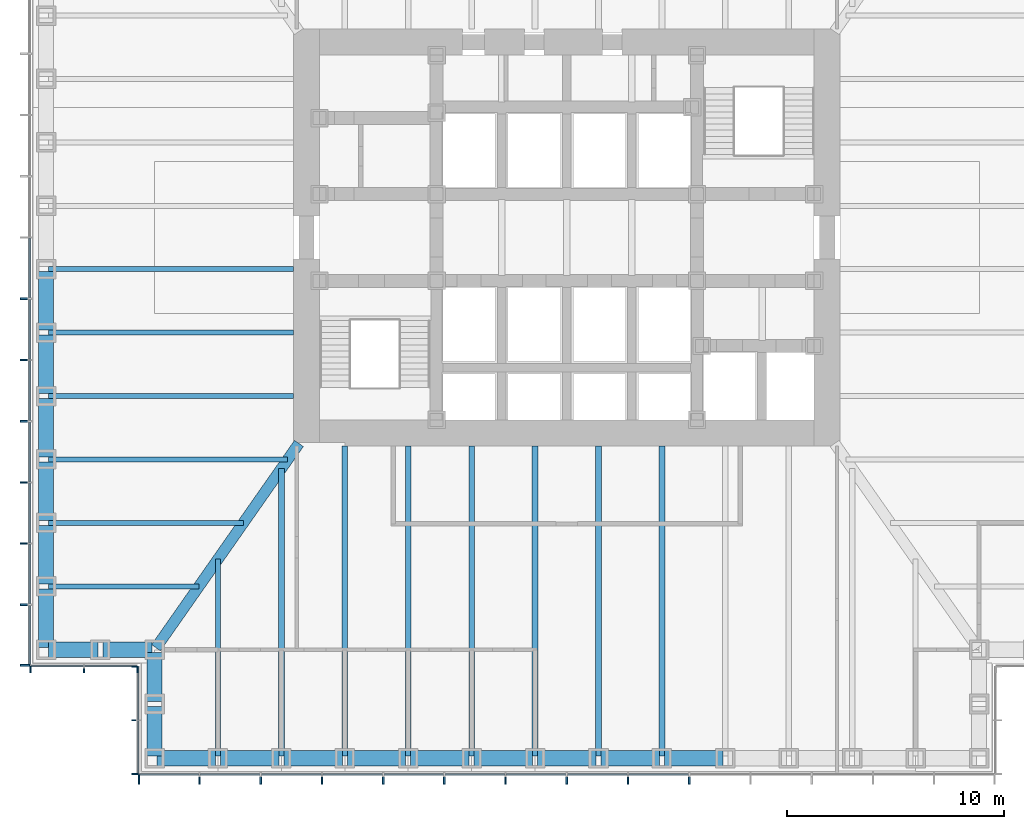
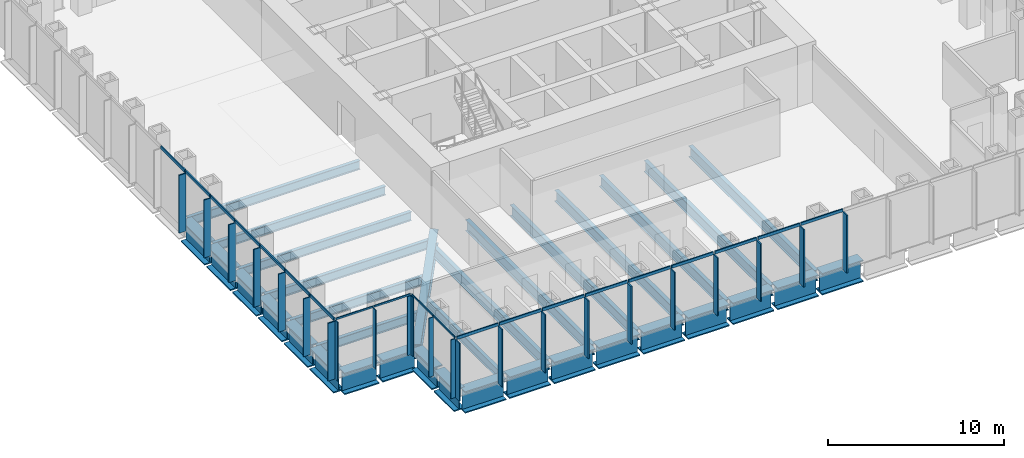
# One storey, part 2 of 17: 43 members, 34 beams, 4 elements without a shape of their own.
"""IFC4 building model written with IfcOpenShell, lengths in metres."""

from ifc_helpers import new_model, si_unit, direction, frame, origin, origin_2d, place, context, subcontext, project, spatial, rectangle, i_section, extrude, material, material_profile, profile_set, type_object, element, aggregate, save


model = new_model("IFC4")

# Units and contexts
model_context = context("Model", 3, precision=1e-05, world=origin(), true_north=direction((0.0, 1.0)))
body_context = subcontext(model_context, "Body", "Model", "MODEL_VIEW")
ifc_project = project(units=[si_unit("LENGTHUNIT", "METRE"), si_unit("AREAUNIT", "SQUARE_METRE"), si_unit("VOLUMEUNIT", "CUBIC_METRE"), si_unit("PLANEANGLEUNIT", "RADIAN"), si_unit("MASSUNIT", "GRAM", prefix="KILO")], contexts=[model_context])

# Site, building, storey
site_placement = place(None, origin())
site = spatial("IfcSite", under=ifc_project, at=site_placement, CompositionType="ELEMENT")
building_placement = place(site_placement, origin())
building = spatial("IfcBuilding", under=site, at=building_placement, Name="Daluyong Arena Tower", CompositionType="ELEMENT")
storey_placement = place(building_placement, frame((0.0, 0.0, 97.89990234375)))
storey = spatial("IfcBuildingStorey", under=building, at=storey_placement, Name="L21", CompositionType="ELEMENT", Elevation=97.89990234375)

# Curtain wall, members
ifc_material_1 = material(Name="Bronze anodised aluminium and glass", Category="aluminium")
curtain_wall_type_1 = type_object("IfcCurtainWallType", Name="Curtain wall CW1", PredefinedType="USERDEFINED", material=ifc_material_1)
curtain_wall_1_placement = place(storey_placement, origin())
curtain_wall_1 = element("IfcCurtainWall", 1, at=curtain_wall_1_placement, inside=storey, type_object=curtain_wall_type_1, Name="curtain wall L21 S", ObjectType="UNITISED CURTAIN WALL", PredefinedType="USERDEFINED")
ifc_material_2 = material(Name="Bronze anodised aluminium fin", Category="aluminium")
ifc_material_profile_1 = material_profile(ifc_material_2, rectangle(XDim=0.449951171875, YDim=0.080078125, at=origin_2d()))
ifc_profile_set_1 = profile_set([ifc_material_profile_1], Name="Bronze anodised aluminium fin")
member_type_1 = type_object("IfcMemberType", Name="CW1 bronze fin 450x80", PredefinedType="MULLION", material=ifc_profile_set_1)
member_1_placement = place(storey_placement, frame((36.2900390625, 55.02490234375, 0.0), z_axis=(0.0, 0.0, 1.0), x_axis=(0.0, 1.0, 0.0)))
member_1 = element("IfcMember", 2, at=member_1_placement, type_object=member_type_1, Name="curtain wall L21 S fin 1", PredefinedType="MULLION", context=body_context, shape_type="SweptSolid", body=[
    extrude(rectangle(XDim=0.449951171875, YDim=0.080078125, at=origin_2d()), origin(), (0.0, 0.0, 1.0), 4.0),
])
member_2_placement = place(storey_placement, frame((39.071533203125, 55.02490234375, 0.0), z_axis=(0.0, 0.0, 1.0), x_axis=(0.0, 1.0, 0.0)))
member_2 = element("IfcMember", 3, at=member_2_placement, type_object=member_type_1, Name="curtain wall L21 S fin 2", PredefinedType="MULLION", context=body_context, shape_type="SweptSolid", body=[
    extrude(rectangle(XDim=0.449951171875, YDim=0.080078125, at=origin_2d()), origin(), (0.0, 0.0, 1.0), 4.0),
])
member_3_placement = place(storey_placement, frame((41.892822265625, 55.02490234375, 0.0), z_axis=(0.0, 0.0, 1.0), x_axis=(0.0, 1.0, 0.0)))
member_3 = element("IfcMember", 4, at=member_3_placement, type_object=member_type_1, Name="curtain wall L21 S fin 3", PredefinedType="MULLION", context=body_context, shape_type="SweptSolid", body=[
    extrude(rectangle(XDim=0.449951171875, YDim=0.080078125, at=origin_2d()), origin(), (0.0, 0.0, 1.0), 4.0),
])
member_4_placement = place(storey_placement, frame((44.71435546875, 55.02490234375, 0.0), z_axis=(0.0, 0.0, 1.0), x_axis=(0.0, 1.0, 0.0)))
member_4 = element("IfcMember", 5, at=member_4_placement, type_object=member_type_1, Name="curtain wall L21 S fin 4", PredefinedType="MULLION", context=body_context, shape_type="SweptSolid", body=[
    extrude(rectangle(XDim=0.449951171875, YDim=0.080078125, at=origin_2d()), origin(), (0.0, 0.0, 1.0), 4.0),
])
member_5_placement = place(storey_placement, frame((47.53564453125, 55.02490234375, 0.0), z_axis=(0.0, 0.0, 1.0), x_axis=(0.0, 1.0, 0.0)))
member_5 = element("IfcMember", 6, at=member_5_placement, type_object=member_type_1, Name="curtain wall L21 S fin 5", PredefinedType="MULLION", context=body_context, shape_type="SweptSolid", body=[
    extrude(rectangle(XDim=0.449951171875, YDim=0.080078125, at=origin_2d()), origin(), (0.0, 0.0, 1.0), 4.0),
])
member_6_placement = place(storey_placement, frame((50.357177734375, 55.02490234375, 0.0), z_axis=(0.0, 0.0, 1.0), x_axis=(0.0, 1.0, 0.0)))
member_6 = element("IfcMember", 7, at=member_6_placement, type_object=member_type_1, Name="curtain wall L21 S fin 6", PredefinedType="MULLION", context=body_context, shape_type="SweptSolid", body=[
    extrude(rectangle(XDim=0.449951171875, YDim=0.080078125, at=origin_2d()), origin(), (0.0, 0.0, 1.0), 4.0),
])
member_7_placement = place(storey_placement, frame((53.178466796875, 55.02490234375, 0.0), z_axis=(0.0, 0.0, 1.0), x_axis=(0.0, 1.0, 0.0)))
member_7 = element("IfcMember", 8, at=member_7_placement, type_object=member_type_1, Name="curtain wall L21 S fin 7", PredefinedType="MULLION", context=body_context, shape_type="SweptSolid", body=[
    extrude(rectangle(XDim=0.449951171875, YDim=0.080078125, at=origin_2d()), origin(), (0.0, 0.0, 1.0), 4.0),
])
member_8_placement = place(storey_placement, frame((56.0, 55.02490234375, 0.0), z_axis=(0.0, 0.0, 1.0), x_axis=(0.0, 1.0, 0.0)))
member_8 = element("IfcMember", 9, at=member_8_placement, type_object=member_type_1, Name="curtain wall L21 S fin 8", PredefinedType="MULLION", context=body_context, shape_type="SweptSolid", body=[
    extrude(rectangle(XDim=0.449951171875, YDim=0.080078125, at=origin_2d()), origin(), (0.0, 0.0, 1.0), 4.0),
])
member_9_placement = place(storey_placement, frame((58.821533203125, 55.02490234375, 0.0), z_axis=(0.0, 0.0, 1.0), x_axis=(0.0, 1.0, 0.0)))
member_9 = element("IfcMember", 10, at=member_9_placement, type_object=member_type_1, Name="curtain wall L21 S fin 9", PredefinedType="MULLION", context=body_context, shape_type="SweptSolid", body=[
    extrude(rectangle(XDim=0.449951171875, YDim=0.080078125, at=origin_2d()), origin(), (0.0, 0.0, 1.0), 4.0),
])
member_10_placement = place(storey_placement, frame((61.642822265625, 55.02490234375, 0.0), z_axis=(0.0, 0.0, 1.0), x_axis=(0.0, 1.0, 0.0)))
member_10 = element("IfcMember", 11, at=member_10_placement, type_object=member_type_1, Name="curtain wall L21 S fin 10", PredefinedType="MULLION", context=body_context, shape_type="SweptSolid", body=[
    extrude(rectangle(XDim=0.449951171875, YDim=0.080078125, at=origin_2d()), origin(), (0.0, 0.0, 1.0), 4.0),
])

curtain_wall_2_placement = place(storey_placement, origin())
curtain_wall_2 = element("IfcCurtainWall", 12, at=curtain_wall_2_placement, inside=storey, type_object=curtain_wall_type_1, Name="curtain wall L21 W", ObjectType="UNITISED CURTAIN WALL", PredefinedType="USERDEFINED")
member_11_placement = place(storey_placement, frame((31.02490234375, 77.178466796875, 0.0), z_axis=(0.0, 0.0, 1.0), x_axis=(1.0, 0.0, 0.0)))
member_11 = element("IfcMember", 13, at=member_11_placement, type_object=member_type_1, Name="curtain wall L21 W fin 9", PredefinedType="MULLION", context=body_context, shape_type="SweptSolid", body=[
    extrude(rectangle(XDim=0.449951171875, YDim=0.080078125, at=origin_2d()), origin(), (0.0, 0.0, 1.0), 4.0),
])
member_12_placement = place(storey_placement, frame((31.02490234375, 74.357177734375, 0.0), z_axis=(0.0, 0.0, 1.0), x_axis=(1.0, 0.0, 0.0)))
member_12 = element("IfcMember", 14, at=member_12_placement, type_object=member_type_1, Name="curtain wall L21 W fin 10", PredefinedType="MULLION", context=body_context, shape_type="SweptSolid", body=[
    extrude(rectangle(XDim=0.449951171875, YDim=0.080078125, at=origin_2d()), origin(), (0.0, 0.0, 1.0), 4.0),
])
member_13_placement = place(storey_placement, frame((31.02490234375, 71.53564453125, 0.0), z_axis=(0.0, 0.0, 1.0), x_axis=(1.0, 0.0, 0.0)))
member_13 = element("IfcMember", 15, at=member_13_placement, type_object=member_type_1, Name="curtain wall L21 W fin 11", PredefinedType="MULLION", context=body_context, shape_type="SweptSolid", body=[
    extrude(rectangle(XDim=0.449951171875, YDim=0.080078125, at=origin_2d()), origin(), (0.0, 0.0, 1.0), 4.0),
])
member_14_placement = place(storey_placement, frame((31.02490234375, 68.71435546875, 0.0), z_axis=(0.0, 0.0, 1.0), x_axis=(1.0, 0.0, 0.0)))
member_14 = element("IfcMember", 16, at=member_14_placement, type_object=member_type_1, Name="curtain wall L21 W fin 12", PredefinedType="MULLION", context=body_context, shape_type="SweptSolid", body=[
    extrude(rectangle(XDim=0.449951171875, YDim=0.080078125, at=origin_2d()), origin(), (0.0, 0.0, 1.0), 4.0),
])
member_15_placement = place(storey_placement, frame((31.02490234375, 65.892822265625, 0.0), z_axis=(0.0, 0.0, 1.0), x_axis=(1.0, 0.0, 0.0)))
member_15 = element("IfcMember", 17, at=member_15_placement, type_object=member_type_1, Name="curtain wall L21 W fin 13", PredefinedType="MULLION", context=body_context, shape_type="SweptSolid", body=[
    extrude(rectangle(XDim=0.449951171875, YDim=0.080078125, at=origin_2d()), origin(), (0.0, 0.0, 1.0), 4.0),
])
member_16_placement = place(storey_placement, frame((31.02490234375, 63.071533203125, 0.0), z_axis=(0.0, 0.0, 1.0), x_axis=(1.0, 0.0, 0.0)))
member_16 = element("IfcMember", 18, at=member_16_placement, type_object=member_type_1, Name="curtain wall L21 W fin 14", PredefinedType="MULLION", context=body_context, shape_type="SweptSolid", body=[
    extrude(rectangle(XDim=0.449951171875, YDim=0.080078125, at=origin_2d()), origin(), (0.0, 0.0, 1.0), 4.0),
])
member_17_placement = place(storey_placement, frame((31.02490234375, 60.2900390625, 0.0), z_axis=(0.0, 0.0, 1.0), x_axis=(1.0, 0.0, 0.0)))
member_17 = element("IfcMember", 19, at=member_17_placement, type_object=member_type_1, Name="curtain wall L21 W fin 15", PredefinedType="MULLION", context=body_context, shape_type="SweptSolid", body=[
    extrude(rectangle(XDim=0.449951171875, YDim=0.080078125, at=origin_2d()), origin(), (0.0, 0.0, 1.0), 4.0),
])

# Member
ifc_material_3 = material(Name="Bronze anodised aluminium", Category="aluminium")
ifc_material_profile_2 = material_profile(ifc_material_3, rectangle(XDim=0.080078125, YDim=0.199951171875, at=origin_2d()))
ifc_profile_set_2 = profile_set([ifc_material_profile_2], Name="Bronze anodised aluminium")
member_type_2 = type_object("IfcMemberType", Name="CW1 stack transom 200x80", PredefinedType="USERDEFINED", material=ifc_profile_set_2)
member_18_placement = place(storey_placement, frame((36.330078125, 55.25, 4.10009765625), z_axis=(1.0, 0.0, 0.0), x_axis=(0.0, 1.0, 0.0)))
member_18 = element("IfcMember", 20, at=member_18_placement, type_object=member_type_2, Name="curtain wall L21 S transom 1", ObjectType="TRANSOM", PredefinedType="USERDEFINED", context=body_context, shape_type="SweptSolid", body=[
    extrude(rectangle(XDim=0.080078125, YDim=0.199951171875, at=origin_2d()), origin(), (0.0, 0.0, 1.0), 2.701416015625),
])

member_19_placement = place(storey_placement, frame((39.111328125, 55.25, 4.10009765625), z_axis=(1.0, 0.0, 0.0), x_axis=(0.0, 1.0, 0.0)))
member_19 = element("IfcMember", 21, at=member_19_placement, type_object=member_type_2, Name="curtain wall L21 S transom 2", ObjectType="TRANSOM", PredefinedType="USERDEFINED", context=body_context, shape_type="SweptSolid", body=[
    extrude(rectangle(XDim=0.080078125, YDim=0.199951171875, at=origin_2d()), origin(), (0.0, 0.0, 1.0), 2.741455078125),
])

member_20_placement = place(storey_placement, frame((41.932861328125, 55.25, 4.10009765625), z_axis=(1.0, 0.0, 0.0), x_axis=(0.0, 1.0, 0.0)))
member_20 = element("IfcMember", 22, at=member_20_placement, type_object=member_type_2, Name="curtain wall L21 S transom 3", ObjectType="TRANSOM", PredefinedType="USERDEFINED", context=body_context, shape_type="SweptSolid", body=[
    extrude(rectangle(XDim=0.080078125, YDim=0.199951171875, at=origin_2d()), origin(), (0.0, 0.0, 1.0), 2.741455078125),
])

member_21_placement = place(storey_placement, frame((44.75439453125, 55.25, 4.10009765625), z_axis=(1.0, 0.0, 0.0), x_axis=(0.0, 1.0, 0.0)))
member_21 = element("IfcMember", 23, at=member_21_placement, type_object=member_type_2, Name="curtain wall L21 S transom 4", ObjectType="TRANSOM", PredefinedType="USERDEFINED", context=body_context, shape_type="SweptSolid", body=[
    extrude(rectangle(XDim=0.080078125, YDim=0.199951171875, at=origin_2d()), origin(), (0.0, 0.0, 1.0), 2.7412109375),
])

member_22_placement = place(storey_placement, frame((47.57568359375, 55.25, 4.10009765625), z_axis=(1.0, 0.0, 0.0), x_axis=(0.0, 1.0, 0.0)))
member_22 = element("IfcMember", 24, at=member_22_placement, type_object=member_type_2, Name="curtain wall L21 S transom 5", ObjectType="TRANSOM", PredefinedType="USERDEFINED", context=body_context, shape_type="SweptSolid", body=[
    extrude(rectangle(XDim=0.080078125, YDim=0.199951171875, at=origin_2d()), origin(), (0.0, 0.0, 1.0), 2.741455078125),
])

member_23_placement = place(storey_placement, frame((50.397216796875, 55.25, 4.10009765625), z_axis=(1.0, 0.0, 0.0), x_axis=(0.0, 1.0, 0.0)))
member_23 = element("IfcMember", 25, at=member_23_placement, type_object=member_type_2, Name="curtain wall L21 S transom 6", ObjectType="TRANSOM", PredefinedType="USERDEFINED", context=body_context, shape_type="SweptSolid", body=[
    extrude(rectangle(XDim=0.080078125, YDim=0.199951171875, at=origin_2d()), origin(), (0.0, 0.0, 1.0), 2.741455078125),
])

member_24_placement = place(storey_placement, frame((53.218505859375, 55.25, 4.10009765625), z_axis=(1.0, 0.0, 0.0), x_axis=(0.0, 1.0, 0.0)))
member_24 = element("IfcMember", 26, at=member_24_placement, type_object=member_type_2, Name="curtain wall L21 S transom 7", ObjectType="TRANSOM", PredefinedType="USERDEFINED", context=body_context, shape_type="SweptSolid", body=[
    extrude(rectangle(XDim=0.080078125, YDim=0.199951171875, at=origin_2d()), origin(), (0.0, 0.0, 1.0), 2.741455078125),
])

member_25_placement = place(storey_placement, frame((56.0400390625, 55.25, 4.10009765625), z_axis=(1.0, 0.0, 0.0), x_axis=(0.0, 1.0, 0.0)))
member_25 = element("IfcMember", 27, at=member_25_placement, type_object=member_type_2, Name="curtain wall L21 S transom 8", ObjectType="TRANSOM", PredefinedType="USERDEFINED", context=body_context, shape_type="SweptSolid", body=[
    extrude(rectangle(XDim=0.080078125, YDim=0.199951171875, at=origin_2d()), origin(), (0.0, 0.0, 1.0), 2.741455078125),
])

member_26_placement = place(storey_placement, frame((58.861328125, 55.25, 4.10009765625), z_axis=(1.0, 0.0, 0.0), x_axis=(0.0, 1.0, 0.0)))
member_26 = element("IfcMember", 28, at=member_26_placement, type_object=member_type_2, Name="curtain wall L21 S transom 9", ObjectType="TRANSOM", PredefinedType="USERDEFINED", context=body_context, shape_type="SweptSolid", body=[
    extrude(rectangle(XDim=0.080078125, YDim=0.199951171875, at=origin_2d()), origin(), (0.0, 0.0, 1.0), 2.741455078125),
])

aggregate(curtain_wall_1, [member_1, member_2, member_3, member_4, member_5, member_6, member_7, member_8, member_9, member_10, member_18, member_19, member_20, member_21, member_22, member_23, member_24, member_25, member_26])

member_27_placement = place(storey_placement, frame((31.25, 79.9599609375, 4.10009765625), z_axis=(0.0, -1.0, 0.0), x_axis=(1.0, 0.0, 0.0)))
member_27 = element("IfcMember", 29, at=member_27_placement, type_object=member_type_2, Name="curtain wall L21 W transom 8", ObjectType="TRANSOM", PredefinedType="USERDEFINED", context=body_context, shape_type="SweptSolid", body=[
    extrude(rectangle(XDim=0.080078125, YDim=0.199951171875, at=origin_2d()), origin(), (0.0, 0.0, 1.0), 2.741455078125),
])

member_28_placement = place(storey_placement, frame((31.25, 77.138671875, 4.10009765625), z_axis=(0.0, -1.0, 0.0), x_axis=(1.0, 0.0, 0.0)))
member_28 = element("IfcMember", 30, at=member_28_placement, type_object=member_type_2, Name="curtain wall L21 W transom 9", ObjectType="TRANSOM", PredefinedType="USERDEFINED", context=body_context, shape_type="SweptSolid", body=[
    extrude(rectangle(XDim=0.080078125, YDim=0.199951171875, at=origin_2d()), origin(), (0.0, 0.0, 1.0), 2.741455078125),
])

member_29_placement = place(storey_placement, frame((31.25, 74.317138671875, 4.10009765625), z_axis=(0.0, -1.0, 0.0), x_axis=(1.0, 0.0, 0.0)))
member_29 = element("IfcMember", 31, at=member_29_placement, type_object=member_type_2, Name="curtain wall L21 W transom 10", ObjectType="TRANSOM", PredefinedType="USERDEFINED", context=body_context, shape_type="SweptSolid", body=[
    extrude(rectangle(XDim=0.080078125, YDim=0.199951171875, at=origin_2d()), origin(), (0.0, 0.0, 1.0), 2.741455078125),
])

member_30_placement = place(storey_placement, frame((31.25, 71.49560546875, 4.10009765625), z_axis=(0.0, -1.0, 0.0), x_axis=(1.0, 0.0, 0.0)))
member_30 = element("IfcMember", 32, at=member_30_placement, type_object=member_type_2, Name="curtain wall L21 W transom 11", ObjectType="TRANSOM", PredefinedType="USERDEFINED", context=body_context, shape_type="SweptSolid", body=[
    extrude(rectangle(XDim=0.080078125, YDim=0.199951171875, at=origin_2d()), origin(), (0.0, 0.0, 1.0), 2.7412109375),
])

member_31_placement = place(storey_placement, frame((31.25, 68.67431640625, 4.10009765625), z_axis=(0.0, -1.0, 0.0), x_axis=(1.0, 0.0, 0.0)))
member_31 = element("IfcMember", 33, at=member_31_placement, type_object=member_type_2, Name="curtain wall L21 W transom 12", ObjectType="TRANSOM", PredefinedType="USERDEFINED", context=body_context, shape_type="SweptSolid", body=[
    extrude(rectangle(XDim=0.080078125, YDim=0.199951171875, at=origin_2d()), origin(), (0.0, 0.0, 1.0), 2.741455078125),
])

member_32_placement = place(storey_placement, frame((31.25, 65.852783203125, 4.10009765625), z_axis=(0.0, -1.0, 0.0), x_axis=(1.0, 0.0, 0.0)))
member_32 = element("IfcMember", 34, at=member_32_placement, type_object=member_type_2, Name="curtain wall L21 W transom 13", ObjectType="TRANSOM", PredefinedType="USERDEFINED", context=body_context, shape_type="SweptSolid", body=[
    extrude(rectangle(XDim=0.080078125, YDim=0.199951171875, at=origin_2d()), origin(), (0.0, 0.0, 1.0), 2.741455078125),
])

member_33_placement = place(storey_placement, frame((31.25, 63.031494140625, 4.10009765625), z_axis=(0.0, -1.0, 0.0), x_axis=(1.0, 0.0, 0.0)))
member_33 = element("IfcMember", 35, at=member_33_placement, type_object=member_type_2, Name="curtain wall L21 W transom 14", ObjectType="TRANSOM", PredefinedType="USERDEFINED", context=body_context, shape_type="SweptSolid", body=[
    extrude(rectangle(XDim=0.080078125, YDim=0.199951171875, at=origin_2d()), origin(), (0.0, 0.0, 1.0), 2.701416015625),
])

aggregate(curtain_wall_2, [member_11, member_12, member_13, member_14, member_15, member_16, member_17, member_27, member_28, member_29, member_30, member_31, member_32, member_33])

# Curtain wall, members
ifc_material_4 = material(Name="Bronze anodised aluminium and glass", Category="aluminium")
curtain_wall_type_2 = type_object("IfcCurtainWallType", Name="Curtain wall CW7", PredefinedType="USERDEFINED", material=ifc_material_4)
curtain_wall_3_placement = place(storey_placement, origin())
curtain_wall_3 = element("IfcCurtainWall", 36, at=curtain_wall_3_placement, inside=storey, type_object=curtain_wall_type_2, Name="curtain wall L21 SW-S", ObjectType="UNITISED CURTAIN WALL", PredefinedType="USERDEFINED")
ifc_material_5 = material(Name="Bronze anodised aluminium fin", Category="aluminium")
ifc_material_profile_3 = material_profile(ifc_material_5, rectangle(XDim=0.300048828125, YDim=0.06005859375, at=origin_2d()))
ifc_profile_set_3 = profile_set([ifc_material_profile_3], Name="Bronze anodised aluminium fin")
member_type_3 = type_object("IfcMemberType", Name="CW7 bronze fin 300x60", PredefinedType="MULLION", material=ifc_profile_set_3)
member_34_placement = place(storey_placement, frame((31.280029296875, 60.10009765625, 0.0), z_axis=(0.0, 0.0, 1.0), x_axis=(0.0, 1.0, 0.0)))
member_34 = element("IfcMember", 37, at=member_34_placement, type_object=member_type_3, Name="curtain wall L21 SW-S fin 1", PredefinedType="MULLION", context=body_context, shape_type="SweptSolid", body=[
    extrude(rectangle(XDim=0.300048828125, YDim=0.06005859375, at=origin_2d()), origin(), (0.0, 0.0, 1.0), 4.080078125),
])
member_35_placement = place(storey_placement, frame((33.75, 60.10009765625, 0.0), z_axis=(0.0, 0.0, 1.0), x_axis=(0.0, 1.0, 0.0)))
member_35 = element("IfcMember", 38, at=member_35_placement, type_object=member_type_3, Name="curtain wall L21 SW-S fin 2", PredefinedType="MULLION", context=body_context, shape_type="SweptSolid", body=[
    extrude(rectangle(XDim=0.300048828125, YDim=0.06005859375, at=origin_2d()), origin(), (0.0, 0.0, 1.0), 4.080078125),
])
member_36_placement = place(storey_placement, frame((36.219970703125, 60.10009765625, 0.0), z_axis=(0.0, 0.0, 1.0), x_axis=(0.0, 1.0, 0.0)))
member_36 = element("IfcMember", 39, at=member_36_placement, type_object=member_type_3, Name="curtain wall L21 SW-S fin 3", PredefinedType="MULLION", context=body_context, shape_type="SweptSolid", body=[
    extrude(rectangle(XDim=0.300048828125, YDim=0.06005859375, at=origin_2d()), origin(), (0.0, 0.0, 1.0), 4.080078125),
])

curtain_wall_4_placement = place(storey_placement, origin())
curtain_wall_4 = element("IfcCurtainWall", 40, at=curtain_wall_4_placement, inside=storey, type_object=curtain_wall_type_2, Name="curtain wall L21 SW-W", ObjectType="UNITISED CURTAIN WALL", PredefinedType="USERDEFINED")
member_37_placement = place(storey_placement, frame((36.10009765625, 60.219970703125, 0.0), z_axis=(0.0, 0.0, 1.0), x_axis=(1.0, 0.0, 0.0)))
member_37 = element("IfcMember", 41, at=member_37_placement, type_object=member_type_3, Name="curtain wall L21 SW-W fin 1", PredefinedType="MULLION", context=body_context, shape_type="SweptSolid", body=[
    extrude(rectangle(XDim=0.300048828125, YDim=0.06005859375, at=origin_2d()), origin(), (0.0, 0.0, 1.0), 4.080078125),
])
member_38_placement = place(storey_placement, frame((36.10009765625, 57.75, 0.0), z_axis=(0.0, 0.0, 1.0), x_axis=(1.0, 0.0, 0.0)))
member_38 = element("IfcMember", 42, at=member_38_placement, type_object=member_type_3, Name="curtain wall L21 SW-W fin 2", PredefinedType="MULLION", context=body_context, shape_type="SweptSolid", body=[
    extrude(rectangle(XDim=0.300048828125, YDim=0.06005859375, at=origin_2d()), origin(), (0.0, 0.0, 1.0), 4.080078125),
])
member_39_placement = place(storey_placement, frame((36.10009765625, 55.280029296875, 0.0), z_axis=(0.0, 0.0, 1.0), x_axis=(1.0, 0.0, 0.0)))
member_39 = element("IfcMember", 43, at=member_39_placement, type_object=member_type_3, Name="curtain wall L21 SW-W fin 3", PredefinedType="MULLION", context=body_context, shape_type="SweptSolid", body=[
    extrude(rectangle(XDim=0.300048828125, YDim=0.06005859375, at=origin_2d()), origin(), (0.0, 0.0, 1.0), 4.080078125),
])

# Member
ifc_material_6 = material(Name="Bronze anodised aluminium", Category="aluminium")
ifc_material_profile_4 = material_profile(ifc_material_6, rectangle(XDim=0.06005859375, YDim=0.1201171875, at=origin_2d()))
ifc_profile_set_4 = profile_set([ifc_material_profile_4], Name="Bronze anodised aluminium")
member_type_4 = type_object("IfcMemberType", Name="CW7 stack transom 120x60", PredefinedType="USERDEFINED", material=ifc_profile_set_4)
member_40_placement = place(storey_placement, frame((31.31005859375, 60.25, 4.14013671875), z_axis=(1.0, 0.0, 0.0), x_axis=(0.0, 1.0, 0.0)))
member_40 = element("IfcMember", 44, at=member_40_placement, type_object=member_type_4, Name="curtain wall L21 SW-S transom 1", ObjectType="TRANSOM", PredefinedType="USERDEFINED", context=body_context, shape_type="SweptSolid", body=[
    extrude(rectangle(XDim=0.06005859375, YDim=0.1201171875, at=origin_2d()), origin(), (0.0, 0.0, 1.0), 2.409912109375),
])

member_41_placement = place(storey_placement, frame((33.780029296875, 60.25, 4.14013671875), z_axis=(1.0, 0.0, 0.0), x_axis=(0.0, 1.0, 0.0)))
member_41 = element("IfcMember", 45, at=member_41_placement, type_object=member_type_4, Name="curtain wall L21 SW-S transom 2", ObjectType="TRANSOM", PredefinedType="USERDEFINED", context=body_context, shape_type="SweptSolid", body=[
    extrude(rectangle(XDim=0.06005859375, YDim=0.1201171875, at=origin_2d()), origin(), (0.0, 0.0, 1.0), 2.409912109375),
])

aggregate(curtain_wall_3, [member_34, member_35, member_36, member_40, member_41])

member_42_placement = place(storey_placement, frame((36.25, 60.18994140625, 4.14013671875), z_axis=(0.0, -1.0, 0.0), x_axis=(1.0, 0.0, 0.0)))
member_42 = element("IfcMember", 46, at=member_42_placement, type_object=member_type_4, Name="curtain wall L21 SW-W transom 1", ObjectType="TRANSOM", PredefinedType="USERDEFINED", context=body_context, shape_type="SweptSolid", body=[
    extrude(rectangle(XDim=0.06005859375, YDim=0.1201171875, at=origin_2d()), origin(), (0.0, 0.0, 1.0), 2.409912109375),
])

member_43_placement = place(storey_placement, frame((36.25, 57.719970703125, 4.14013671875), z_axis=(0.0, -1.0, 0.0), x_axis=(1.0, 0.0, 0.0)))
member_43 = element("IfcMember", 47, at=member_43_placement, type_object=member_type_4, Name="curtain wall L21 SW-W transom 2", ObjectType="TRANSOM", PredefinedType="USERDEFINED", context=body_context, shape_type="SweptSolid", body=[
    extrude(rectangle(XDim=0.06005859375, YDim=0.1201171875, at=origin_2d()), origin(), (0.0, 0.0, 1.0), 2.409912109375),
])

aggregate(curtain_wall_4, [member_37, member_38, member_39, member_42, member_43])

# Beams
ifc_material_7 = material(Name="Steel ASTM A572 Grade 50", Category="steel")
ifc_material_profile_5 = material_profile(ifc_material_7, i_section(OverallWidth=0.5, OverallDepth=1.0, WebThickness=0.03, FlangeThickness=0.06, at=origin_2d()))
ifc_profile_set_5 = profile_set([ifc_material_profile_5], Name="Steel ASTM A572 Grade 50")
beam_type_1 = type_object("IfcBeamType", Name="Corner girder TB1000X500", PredefinedType="BEAM", material=ifc_profile_set_5)
beam_1_placement = place(storey_placement, frame((37.06591796875, 61.09423828125, -0.659912109375), z_axis=(0.573466621875, 0.819228926244, 0.0), x_axis=(-0.819228926244, 0.573466621875, 0.0)))
element("IfcBeam", 48, at=beam_1_placement, inside=storey, type_object=beam_type_1, Name="corner girder DG2", PredefinedType="BEAM", context=body_context, shape_type="SweptSolid", body=[
    extrude(i_section(OverallWidth=0.5, OverallDepth=1.0, WebThickness=0.03, FlangeThickness=0.06, at=origin_2d()), origin(), (0.0, 0.0, 1.0), 11.49169921875),
])
ifc_material_8 = material(Name="Steel ASTM A992 Grade 50", Category="steel")
ifc_material_profile_6 = material_profile(ifc_material_8, i_section(OverallWidth=0.22900390625, OverallDepth=0.612060546875, WebThickness=0.011962890625, FlangeThickness=0.01953125, at=origin_2d()))
ifc_profile_set_6 = profile_set([ifc_material_profile_6], Name="Steel ASTM A992 Grade 50")
beam_type_2 = type_object("IfcBeamType", Name="Floor beam W24X84", PredefinedType="BEAM", material=ifc_profile_set_6)
beam_2_placement = place(storey_placement, frame((39.923095703125, 56.114990234375, -0.466064453125), z_axis=(0.0, 1.0, 0.0), x_axis=(-1.0, 0.0, 0.0)))
element("IfcBeam", 49, at=beam_2_placement, inside=storey, type_object=beam_type_2, Name="floor beam FB3", PredefinedType="BEAM", context=body_context, shape_type="SweptSolid", body=[
    extrude(i_section(OverallWidth=0.22900390625, OverallDepth=0.612060546875, WebThickness=0.011962890625, FlangeThickness=0.01953125, at=origin_2d()), origin(), (0.0, 0.0, 1.0), 9.060791015625),
])
for number, where, z_axis, x_axis, name in (
    (50, (32.114990234375, 78.53857421875, -0.466064453125), (1.0, 0.0, 0.0), (0.0, 1.0, 0.0), "floor beam FB3"),
    (51, (32.114990234375, 75.615478515625, -0.466064453125), (1.0, 0.0, 0.0), (0.0, 1.0, 0.0), "floor beam FB3"),
    (52, (32.114990234375, 72.6923828125, -0.466064453125), (1.0, 0.0, 0.0), (0.0, 1.0, 0.0), "floor beam FB3"),
):
    element("IfcBeam", number, at=place(storey_placement, frame(where, z_axis=z_axis, x_axis=x_axis)), inside=storey, type_object=beam_type_2, Name=name, PredefinedType="BEAM", context=body_context, shape_type="SweptSolid", body=[
        extrude(i_section(OverallWidth=0.22900390625, OverallDepth=0.612060546875, WebThickness=0.011962890625, FlangeThickness=0.01953125, at=origin_2d()), origin(), (0.0, 0.0, 1.0), 11.284912109375),
    ])
beam_3_placement = place(storey_placement, frame((32.114990234375, 69.769287109375, -0.466064453125), z_axis=(1.0, 0.0, 0.0), x_axis=(0.0, 1.0, 0.0)))
element("IfcBeam", 53, at=beam_3_placement, inside=storey, type_object=beam_type_2, Name="floor beam FB3", PredefinedType="BEAM", context=body_context, shape_type="SweptSolid", body=[
    extrude(i_section(OverallWidth=0.22900390625, OverallDepth=0.612060546875, WebThickness=0.011962890625, FlangeThickness=0.01953125, at=origin_2d()), origin(), (0.0, 0.0, 1.0), 11.0234375),
])
beam_4_placement = place(storey_placement, frame((32.114990234375, 66.84619140625, -0.466064453125), z_axis=(1.0, 0.0, 0.0), x_axis=(0.0, 1.0, 0.0)))
element("IfcBeam", 54, at=beam_4_placement, inside=storey, type_object=beam_type_2, Name="floor beam FB3", PredefinedType="BEAM", context=body_context, shape_type="SweptSolid", body=[
    extrude(i_section(OverallWidth=0.22900390625, OverallDepth=0.612060546875, WebThickness=0.011962890625, FlangeThickness=0.01953125, at=origin_2d()), origin(), (0.0, 0.0, 1.0), 8.977294921875),
])
beam_5_placement = place(storey_placement, frame((32.114990234375, 63.923095703125, -0.466064453125), z_axis=(1.0, 0.0, 0.0), x_axis=(0.0, 1.0, 0.0)))
element("IfcBeam", 55, at=beam_5_placement, inside=storey, type_object=beam_type_2, Name="floor beam FB3", PredefinedType="BEAM", context=body_context, shape_type="SweptSolid", body=[
    extrude(i_section(OverallWidth=0.22900390625, OverallDepth=0.612060546875, WebThickness=0.011962890625, FlangeThickness=0.01953125, at=origin_2d()), origin(), (0.0, 0.0, 1.0), 6.93115234375),
])
ifc_material_9 = material(Name="Steel ASTM A992 Grade 50", Category="steel")
ifc_material_profile_7 = material_profile(ifc_material_9, i_section(OverallWidth=0.2666015625, OverallDepth=0.761962890625, WebThickness=0.014404296875, FlangeThickness=0.021484375, at=origin_2d()))
ifc_profile_set_7 = profile_set([ifc_material_profile_7], Name="Steel ASTM A992 Grade 50")
beam_type_3 = type_object("IfcBeamType", Name="Floor beam W30X116", PredefinedType="BEAM", material=ifc_profile_set_7)
beam_6_placement = place(storey_placement, frame((42.84619140625, 56.114990234375, -0.541015625), z_axis=(0.0, 1.0, 0.0), x_axis=(-1.0, 0.0, 0.0)))
element("IfcBeam", 56, at=beam_6_placement, inside=storey, type_object=beam_type_3, Name="floor beam FB4", PredefinedType="BEAM", context=body_context, shape_type="SweptSolid", body=[
    extrude(i_section(OverallWidth=0.2666015625, OverallDepth=0.761962890625, WebThickness=0.014404296875, FlangeThickness=0.021484375, at=origin_2d()), origin(), (0.0, 0.0, 1.0), 13.236572265625),
])
for number, where, z_axis, x_axis, name in (
    (57, (45.769287109375, 56.114990234375, -0.541015625), (0.0, 1.0, 0.0), (-1.0, 0.0, 0.0), "floor beam FB4"),
    (58, (48.6923828125, 56.114990234375, -0.541015625), (0.0, 1.0, 0.0), (-1.0, 0.0, 0.0), "floor beam FB4"),
    (59, (51.615478515625, 56.114990234375, -0.541015625), (0.0, 1.0, 0.0), (-1.0, 0.0, 0.0), "floor beam FB4"),
    (60, (54.53857421875, 56.114990234375, -0.541015625), (0.0, 1.0, 0.0), (-1.0, 0.0, 0.0), "floor beam FB4"),
    (61, (57.46142578125, 56.114990234375, -0.541015625), (0.0, 1.0, 0.0), (-1.0, 0.0, 0.0), "floor beam FB4"),
    (62, (60.384521484375, 56.114990234375, -0.541015625), (0.0, 1.0, 0.0), (-1.0, 0.0, 0.0), "floor beam FB4"),
):
    element("IfcBeam", number, at=place(storey_placement, frame(where, z_axis=z_axis, x_axis=x_axis)), inside=storey, type_object=beam_type_3, Name=name, PredefinedType="BEAM", context=body_context, shape_type="SweptSolid", body=[
        extrude(i_section(OverallWidth=0.2666015625, OverallDepth=0.761962890625, WebThickness=0.014404296875, FlangeThickness=0.021484375, at=origin_2d()), origin(), (0.0, 0.0, 1.0), 14.284912109375),
    ])
ifc_material_10 = material(Name="Steel ASTM A572 Grade 50", Category="steel")
ifc_material_profile_8 = material_profile(ifc_material_10, i_section(OverallWidth=0.699951171875, OverallDepth=1.5, WebThickness=0.04, FlangeThickness=0.08, at=origin_2d()))
ifc_profile_set_8 = profile_set([ifc_material_profile_8], Name="Steel ASTM A572 Grade 50")
beam_type_4 = type_object("IfcBeamType", Name="Spandrel Z1 PG1500X700", PredefinedType="SPANDREL", material=ifc_profile_set_8)
for number, where, z_axis, x_axis, name in (
    (63, (37.114990234375, 56.0, -0.909912109375), (1.0, 0.0, 0.0), (0.0, 1.0, 0.0), "spandrel z1 SB4"),
    (64, (40.0380859375, 56.0, -0.909912109375), (1.0, 0.0, 0.0), (0.0, 1.0, 0.0), "spandrel z1 SB4"),
    (65, (42.961181640625, 56.0, -0.909912109375), (1.0, 0.0, 0.0), (0.0, 1.0, 0.0), "spandrel z1 SB4"),
    (66, (45.88427734375, 56.0, -0.909912109375), (1.0, 0.0, 0.0), (0.0, 1.0, 0.0), "spandrel z1 SB4"),
    (67, (48.807373046875, 56.0, -0.909912109375), (1.0, 0.0, 0.0), (0.0, 1.0, 0.0), "spandrel z1 SB4"),
    (68, (51.73046875, 56.0, -0.909912109375), (1.0, 0.0, 0.0), (0.0, 1.0, 0.0), "spandrel z1 SB4"),
):
    element("IfcBeam", number, at=place(storey_placement, frame(where, z_axis=z_axis, x_axis=x_axis)), inside=storey, type_object=beam_type_4, Name=name, PredefinedType="SPANDREL", context=body_context, shape_type="SweptSolid", body=[
        extrude(i_section(OverallWidth=0.699951171875, OverallDepth=1.5, WebThickness=0.04, FlangeThickness=0.08, at=origin_2d()), origin(), (0.0, 0.0, 1.0), 2.693115234375),
    ])
beam_7_placement = place(storey_placement, frame((54.653564453125, 56.0, -0.909912109375), z_axis=(1.0, 0.0, 0.0), x_axis=(0.0, 1.0, 0.0)))
element("IfcBeam", 69, at=beam_7_placement, inside=storey, type_object=beam_type_4, Name="spandrel z1 SB4", PredefinedType="SPANDREL", context=body_context, shape_type="SweptSolid", body=[
    extrude(i_section(OverallWidth=0.699951171875, OverallDepth=1.5, WebThickness=0.04, FlangeThickness=0.08, at=origin_2d()), origin(), (0.0, 0.0, 1.0), 2.69287109375),
])
for number, where, z_axis, x_axis, name in (
    (70, (57.576416015625, 56.0, -0.909912109375), (1.0, 0.0, 0.0), (0.0, 1.0, 0.0), "spandrel z1 SB4"),
    (71, (60.49951171875, 56.0, -0.909912109375), (1.0, 0.0, 0.0), (0.0, 1.0, 0.0), "spandrel z1 SB4"),
    (72, (32.0, 78.423583984375, -0.909912109375), (0.0, -1.0, 0.0), (1.0, 0.0, 0.0), "spandrel z1 SB4"),
    (73, (32.0, 75.50048828125, -0.909912109375), (0.0, -1.0, 0.0), (1.0, 0.0, 0.0), "spandrel z1 SB4"),
    (74, (32.0, 72.577392578125, -0.909912109375), (0.0, -1.0, 0.0), (1.0, 0.0, 0.0), "spandrel z1 SB4"),
    (75, (32.0, 69.654296875, -0.909912109375), (0.0, -1.0, 0.0), (1.0, 0.0, 0.0), "spandrel z1 SB4"),
    (76, (32.0, 66.731201171875, -0.909912109375), (0.0, -1.0, 0.0), (1.0, 0.0, 0.0), "spandrel z1 SB4"),
    (77, (32.0, 63.80810546875, -0.909912109375), (0.0, -1.0, 0.0), (1.0, 0.0, 0.0), "spandrel z1 SB4"),
):
    element("IfcBeam", number, at=place(storey_placement, frame(where, z_axis=z_axis, x_axis=x_axis)), inside=storey, type_object=beam_type_4, Name=name, PredefinedType="SPANDREL", context=body_context, shape_type="SweptSolid", body=[
        extrude(i_section(OverallWidth=0.699951171875, OverallDepth=1.5, WebThickness=0.04, FlangeThickness=0.08, at=origin_2d()), origin(), (0.0, 0.0, 1.0), 2.693115234375),
    ])
for number, where, z_axis, x_axis, name in (
    (78, (32.114990234375, 61.0, -0.909912109375), (1.0, 0.0, 0.0), (0.0, 1.0, 0.0), "spandrel z1 SB4"),
    (79, (34.614990234375, 61.0, -0.909912109375), (1.0, 0.0, 0.0), (0.0, 1.0, 0.0), "spandrel z1 SB4"),
    (80, (37.0, 60.885009765625, -0.909912109375), (0.0, -1.0, 0.0), (1.0, 0.0, 0.0), "spandrel z1 SB4"),
    (81, (37.0, 58.385009765625, -0.909912109375), (0.0, -1.0, 0.0), (1.0, 0.0, 0.0), "spandrel z1 SB4"),
):
    element("IfcBeam", number, at=place(storey_placement, frame(where, z_axis=z_axis, x_axis=x_axis)), inside=storey, type_object=beam_type_4, Name=name, PredefinedType="SPANDREL", context=body_context, shape_type="SweptSolid", body=[
        extrude(i_section(OverallWidth=0.699951171875, OverallDepth=1.5, WebThickness=0.04, FlangeThickness=0.08, at=origin_2d()), origin(), (0.0, 0.0, 1.0), 2.27001953125),
    ])

save(model, "model.ifc")
